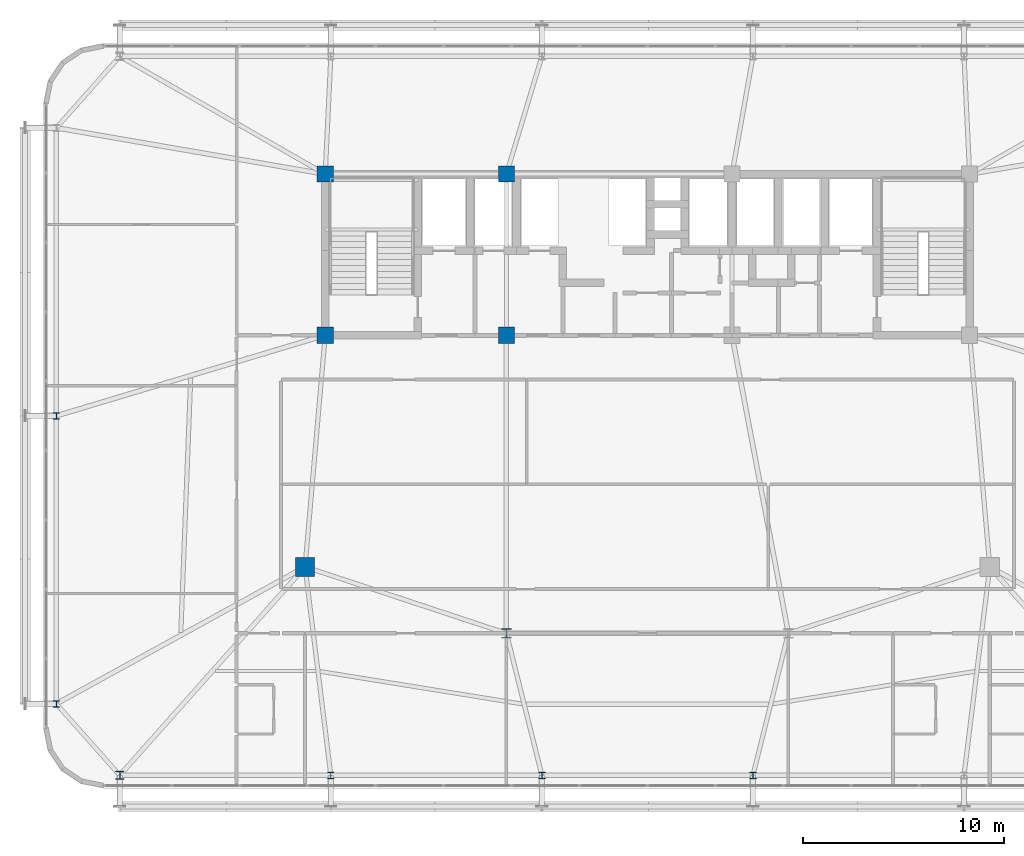
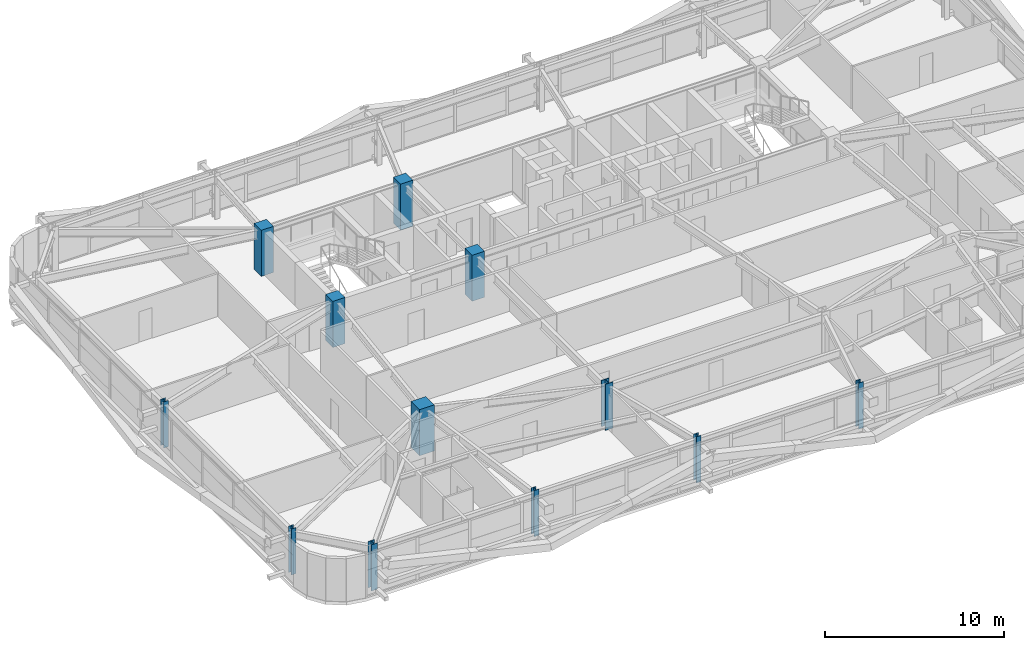
# One storey, part 1 of 59: 12 columns.
"""IFC4 building model written with IfcOpenShell, lengths in metres."""

from ifc_helpers import new_model, si_unit, direction, frame, origin, origin_2d, place, context, subcontext, project, spatial, rectangle, i_section, extrude, source, transform, mapped, material, material_profile, profile_set, type_object, element, save


model = new_model("IFC4")

# Units and contexts
model_context = context("Model", 3, precision=1e-05, world=origin(), true_north=direction((0.0, 1.0)))
body_context = subcontext(model_context, "Body", "Model", "MODEL_VIEW")
ifc_project = project(units=[si_unit("LENGTHUNIT", "METRE"), si_unit("AREAUNIT", "SQUARE_METRE"), si_unit("VOLUMEUNIT", "CUBIC_METRE"), si_unit("PLANEANGLEUNIT", "RADIAN"), si_unit("MASSUNIT", "GRAM", prefix="KILO")], contexts=[model_context])

# Site, building, storey
site_placement = place(None, origin())
site = spatial("IfcSite", under=ifc_project, at=site_placement, CompositionType="ELEMENT")
building_placement = place(site_placement, origin())
building = spatial("IfcBuilding", under=site, at=building_placement, Name="Taldren Reach Tower", CompositionType="ELEMENT")
storey_placement = place(building_placement, frame((0.0, 0.0, 26.25)))
storey = spatial("IfcBuildingStorey", under=building, at=storey_placement, Name="L07", CompositionType="ELEMENT", Elevation=26.25)

# Columns
ifc_material_1 = material(Name="Steel Gr 350 (350PLUS)", Category="steel")
ifc_material_profile_1 = material_profile(ifc_material_1, i_section(OverallWidth=0.5, OverallDepth=0.47998046875, WebThickness=0.028076171875, FlangeThickness=0.0439453125, at=origin_2d()), Name="500WC440")
ifc_profile_set_1 = profile_set([ifc_material_profile_1], Name="Steel Gr 350 (350PLUS)")
column_type_1 = type_object("IfcColumnType", Name="COL-WC500A", PredefinedType="COLUMN", material=ifc_profile_set_1)
shared_shape_1 = source(origin(), body_context, "Body", "SweptSolid", [
    extrude(i_section(OverallWidth=0.5, OverallDepth=0.47998046875, WebThickness=0.028076171875, FlangeThickness=0.0439453125, at=origin_2d()), origin(), (0.0, 0.0, 1.0), 3.14990234375),
])
column_1_placement = place(storey_placement, frame((28.0, 9.199951171875, 0.0), z_axis=(0.0, 0.0, 1.0), x_axis=(1.0, 0.0, 0.0)))
element("IfcColumn", 1, at=column_1_placement, inside=storey, type_object=column_type_1, Name="Mega column MC-PJW L07", PredefinedType="COLUMN", context=body_context, shape_type="MappedRepresentation", body=[
    mapped(shared_shape_1, transform((0.0, 0.0, 0.0), scale=1.0)),
])
ifc_material_2 = material(Name="Concrete S80 (80 MPa)", Category="concrete")
ifc_material_profile_2 = material_profile(ifc_material_2, rectangle(XDim=0.949951171875, YDim=0.949951171875, at=origin_2d()), Name="RC-950x950")
ifc_profile_set_2 = profile_set([ifc_material_profile_2], Name="Concrete S80 (80 MPa)")
column_type_2 = type_object("IfcColumnType", Name="COL-RC950", PredefinedType="COLUMN", material=ifc_profile_set_2)
shared_shape_2 = source(origin(), body_context, "Body", "SweptSolid", [
    extrude(rectangle(XDim=0.949951171875, YDim=0.949951171875, at=origin_2d()), origin(), (0.0, 0.0, 1.0), 3.14990234375),
])
column_2_placement = place(storey_placement, frame((18.0, 12.5, 0.0), z_axis=(0.0, 0.0, 1.0), x_axis=(1.0, 0.0, 0.0)))
element("IfcColumn", 2, at=column_2_placement, inside=storey, type_object=column_type_2, Name="Mega column MC-SW L07", PredefinedType="COLUMN", context=body_context, shape_type="MappedRepresentation", body=[
    mapped(shared_shape_2, transform((0.0, 0.0, 0.0), scale=1.0)),
])
ifc_material_profile_3 = material_profile(ifc_material_1, i_section(OverallWidth=0.39990234375, OverallDepth=0.39599609375, WebThickness=0.02197265625, FlangeThickness=0.033935546875, at=origin_2d()), Name="400WC270")
ifc_profile_set_3 = profile_set([ifc_material_profile_3], Name="Steel Gr 350 (350PLUS)")
column_type_3 = type_object("IfcColumnType", Name="COL-WC400", PredefinedType="COLUMN", material=ifc_profile_set_3)
shared_shape_3 = source(origin(), body_context, "Body", "SweptSolid", [
    extrude(i_section(OverallWidth=0.39990234375, OverallDepth=0.39599609375, WebThickness=0.02197265625, FlangeThickness=0.033935546875, at=origin_2d()), origin(), (0.0, 0.0, 1.0), 3.14990234375),
])
column_3_placement = place(storey_placement, frame((8.800048828125, 2.14990234375, 0.0), z_axis=(0.0, 0.0, 1.0), x_axis=(1.0, 0.0, 0.0)))
element("IfcColumn", 3, at=column_3_placement, inside=storey, type_object=column_type_3, Name="Block B1 perimeter column S1 L07", PredefinedType="COLUMN", context=body_context, shape_type="MappedRepresentation", body=[
    mapped(shared_shape_3, transform((0.0, 0.0, 0.0), scale=1.0)),
])
ifc_material_profile_4 = material_profile(ifc_material_1, i_section(OverallWidth=0.31103515625, OverallDepth=0.326904296875, WebThickness=0.015625, FlangeThickness=0.02490234375, at=origin_2d()), Name="310UC158")
ifc_profile_set_4 = profile_set([ifc_material_profile_4], Name="Steel Gr 350 (350PLUS)")
column_type_4 = type_object("IfcColumnType", Name="COL-UC310A", PredefinedType="COLUMN", material=ifc_profile_set_4)
shared_shape_4 = source(origin(), body_context, "Body", "SweptSolid", [
    extrude(i_section(OverallWidth=0.31103515625, OverallDepth=0.326904296875, WebThickness=0.015625, FlangeThickness=0.02490234375, at=origin_2d()), origin(), (0.0, 0.0, 1.0), 3.14990234375),
])
for number, where, z_axis, x_axis, name in (
    (4, (19.280029296875, 2.14990234375, 0.0), (0.0, 0.0, 1.0), (1.0, 0.0, 0.0), "Block B1 perimeter column S2 L07"),
    (5, (29.760009765625, 2.14990234375, 0.0), (0.0, 0.0, 1.0), (1.0, 0.0, 0.0), "Block B1 perimeter column S3 L07"),
    (6, (40.239990234375, 2.14990234375, 0.0), (0.0, 0.0, 1.0), (1.0, 0.0, 0.0), "Block B1 perimeter column S4 L07"),
    (7, (5.64990234375, 5.699951171875, 0.0), (0.0, 0.0, 1.0), (1.0, 0.0, 0.0), "Block B1 perimeter column W1 L07"),
    (8, (5.64990234375, 20.0, 0.0), (0.0, 0.0, 1.0), (1.0, 0.0, 0.0), "Block B1 perimeter column W2 L07"),
):
    element("IfcColumn", number, at=place(storey_placement, frame(where, z_axis=z_axis, x_axis=x_axis)), inside=storey, type_object=column_type_4, Name=name, PredefinedType="COLUMN", context=body_context, shape_type="MappedRepresentation", body=[
        mapped(shared_shape_4, transform((0.0, 0.0, 0.0), scale=1.0)),
    ])
ifc_material_3 = material(Name="Concrete S65 (65 MPa)", Category="concrete")
ifc_material_profile_5 = material_profile(ifc_material_3, rectangle(XDim=0.800048828125, YDim=0.800048828125, at=origin_2d()), Name="RC-800x800")
ifc_profile_set_5 = profile_set([ifc_material_profile_5], Name="Concrete S65 (65 MPa)")
column_type_5 = type_object("IfcColumnType", Name="COL-RC800", PredefinedType="COLUMN", material=ifc_profile_set_5)
shared_shape_5 = source(origin(), body_context, "Body", "SweptSolid", [
    extrude(rectangle(XDim=0.800048828125, YDim=0.800048828125, at=origin_2d()), origin(), (0.0, 0.0, 1.0), 3.14990234375),
])
for number, where, z_axis, x_axis, name in (
    (9, (19.0, 24.0, 0.0), (0.0, 0.0, 1.0), (1.0, 0.0, 0.0), "Mega column MC-C1 L07"),
    (10, (28.0, 24.0, 0.0), (0.0, 0.0, 1.0), (1.0, 0.0, 0.0), "Mega column MC-C2 L07"),
    (11, (19.0, 32.0, 0.0), (0.0, 0.0, 1.0), (1.0, 0.0, 0.0), "Mega column MC-C5 L07"),
    (12, (28.0, 32.0, 0.0), (0.0, 0.0, 1.0), (1.0, 0.0, 0.0), "Mega column MC-C6 L07"),
):
    element("IfcColumn", number, at=place(storey_placement, frame(where, z_axis=z_axis, x_axis=x_axis)), inside=storey, type_object=column_type_5, Name=name, PredefinedType="COLUMN", context=body_context, shape_type="MappedRepresentation", body=[
        mapped(shared_shape_5, transform((0.0, 0.0, 0.0), scale=1.0)),
    ])

save(model, "model.ifc")
